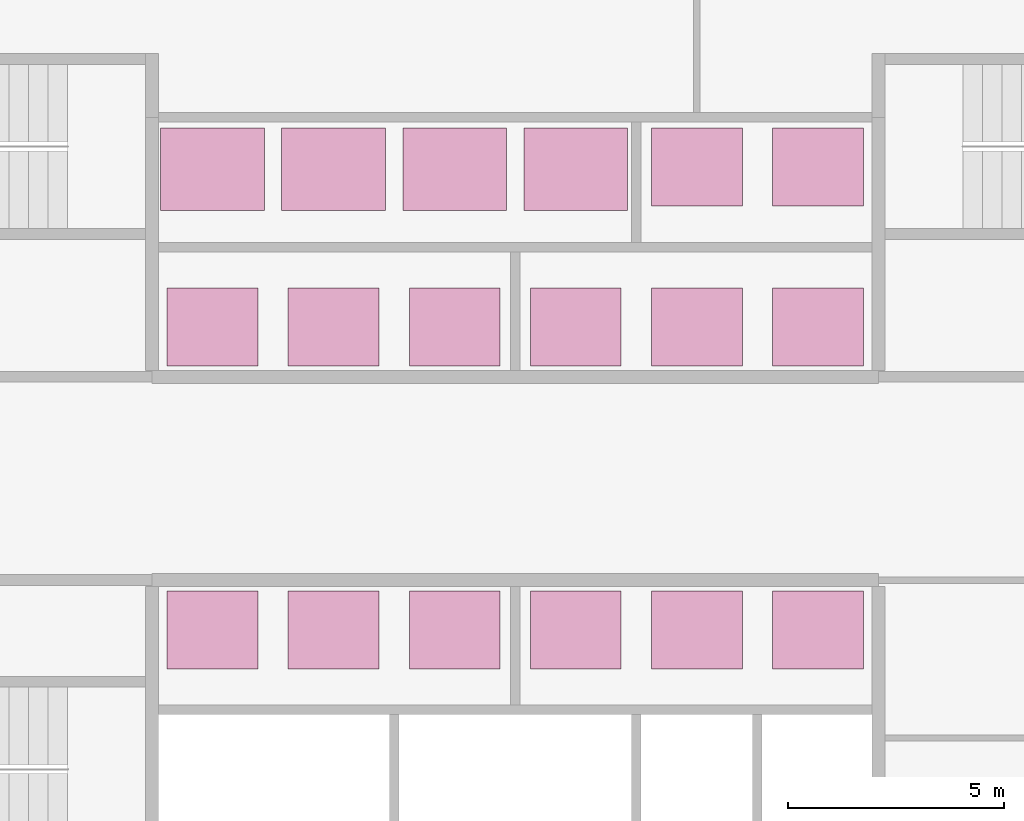
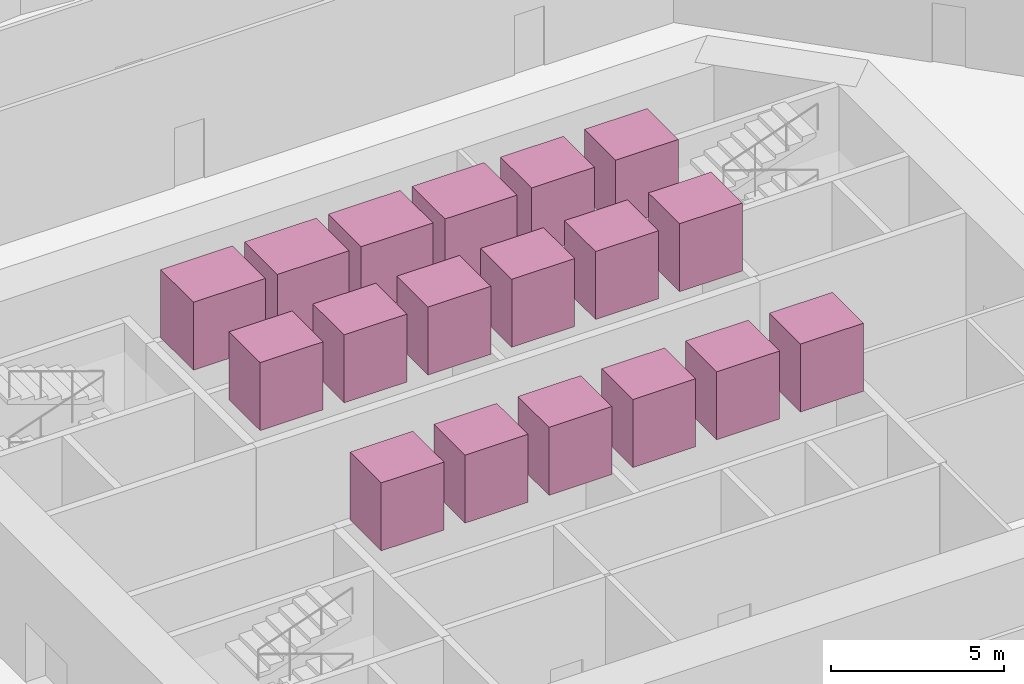
# One storey, part 11 of 11: 18 transport elements.
"""IFC4 building model written with IfcOpenShell, lengths in metres."""

from ifc_helpers import new_model, si_unit, direction, frame, origin, origin_2d, place, context, subcontext, project, spatial, rectangle, extrude, material, type_object, element, save


model = new_model("IFC4")

# Units and contexts
model_context = context("Model", 3, precision=1e-05, world=origin(), true_north=direction((0.0, 1.0)))
body_context = subcontext(model_context, "Body", "Model", "MODEL_VIEW")
ifc_project = project(units=[si_unit("LENGTHUNIT", "METRE"), si_unit("AREAUNIT", "SQUARE_METRE"), si_unit("VOLUMEUNIT", "CUBIC_METRE"), si_unit("PLANEANGLEUNIT", "RADIAN"), si_unit("MASSUNIT", "GRAM", prefix="KILO")], contexts=[model_context])

# Site, building, storey
site_placement = place(None, origin())
site = spatial("IfcSite", under=ifc_project, at=site_placement, CompositionType="ELEMENT")
building_placement = place(site_placement, origin())
building = spatial("IfcBuilding", under=site, at=building_placement, Name="Marenthal Gate Tower", CompositionType="ELEMENT")
storey_placement = place(building_placement, frame((0.0, 0.0, -5.0)))
storey = spatial("IfcBuildingStorey", under=building, at=storey_placement, Name="B1", CompositionType="ELEMENT", Elevation=-5.0)

# Transport elements
ifc_material_1 = material(Name="Stainless steel and glass car", Category="steel")
transport_element_type_1 = type_object("IfcTransportElementType", Name="Observation lift 2100 x 1800", PredefinedType="ELEVATOR", material=ifc_material_1)
for number, where, z_axis, x_axis, name in (
    (1, (4.199951171875, 7.199951171875, 5.0), (0.0, 0.0, 1.0), (1.0, 0.0, 0.0), "Lift OB1"),
    (2, (7.0, 7.199951171875, 5.0), (0.0, 0.0, 1.0), (1.0, 0.0, 0.0), "Lift OB2"),
):
    element("IfcTransportElement", number, at=place(storey_placement, frame(where, z_axis=z_axis, x_axis=x_axis)), inside=storey, type_object=transport_element_type_1, Name=name, PredefinedType="ELEVATOR", context=body_context, shape_type="SweptSolid", body=[
        extrude(rectangle(XDim=2.10009765625, YDim=1.800048828125, at=origin_2d()), origin(), (0.0, 0.0, 1.0), 2.39990234375),
    ])
ifc_material_2 = material(Name="Stainless steel and glass car", Category="steel")
transport_element_type_2 = type_object("IfcTransportElementType", Name="Passenger lift 2100 x 1800", PredefinedType="ELEVATOR", material=ifc_material_2)
for number, where, z_axis, x_axis, name in (
    (3, (-7.0, 3.5, 5.0), (0.0, 0.0, 1.0), (1.0, 0.0, 0.0), "Lift LP1"),
    (4, (-4.199951171875, 3.5, 5.0), (0.0, 0.0, 1.0), (1.0, 0.0, 0.0), "Lift LP2"),
    (5, (-1.39990234375, 3.5, 5.0), (0.0, 0.0, 1.0), (1.0, 0.0, 0.0), "Lift LP3"),
    (6, (1.39990234375, 3.5, 5.0), (0.0, 0.0, 1.0), (1.0, 0.0, 0.0), "Lift LP4"),
    (7, (4.199951171875, 3.5, 5.0), (0.0, 0.0, 1.0), (1.0, 0.0, 0.0), "Lift LP5"),
    (8, (7.0, 3.5, 5.0), (0.0, 0.0, 1.0), (1.0, 0.0, 0.0), "Lift LP6"),
    (9, (-7.0, -3.5, 5.0), (0.0, 0.0, 1.0), (1.0, 0.0, 0.0), "Lift LP7"),
    (10, (-4.199951171875, -3.5, 5.0), (0.0, 0.0, 1.0), (1.0, 0.0, 0.0), "Lift LP8"),
    (11, (-1.39990234375, -3.5, 5.0), (0.0, 0.0, 1.0), (1.0, 0.0, 0.0), "Lift LP9"),
    (12, (1.39990234375, -3.5, 5.0), (0.0, 0.0, 1.0), (1.0, 0.0, 0.0), "Lift LP10"),
    (13, (4.199951171875, -3.5, 5.0), (0.0, 0.0, 1.0), (1.0, 0.0, 0.0), "Lift LP11"),
    (14, (7.0, -3.5, 5.0), (0.0, 0.0, 1.0), (1.0, 0.0, 0.0), "Lift LP12"),
):
    element("IfcTransportElement", number, at=place(storey_placement, frame(where, z_axis=z_axis, x_axis=x_axis)), inside=storey, type_object=transport_element_type_2, Name=name, PredefinedType="ELEVATOR", context=body_context, shape_type="SweptSolid", body=[
        extrude(rectangle(XDim=2.10009765625, YDim=1.800048828125, at=origin_2d()), origin(), (0.0, 0.0, 1.0), 2.39990234375),
    ])
ifc_material_3 = material(Name="Stainless steel and glass car", Category="steel")
transport_element_type_3 = type_object("IfcTransportElementType", Name="Shuttle lift 2400 x 1900", PredefinedType="ELEVATOR", material=ifc_material_3)
for number, where, z_axis, x_axis, name in (
    (15, (-7.0, 7.14990234375, 5.0), (0.0, 0.0, 1.0), (1.0, 0.0, 0.0), "Lift SH1"),
    (16, (-4.199951171875, 7.14990234375, 5.0), (0.0, 0.0, 1.0), (1.0, 0.0, 0.0), "Lift SH2"),
    (17, (-1.39990234375, 7.14990234375, 5.0), (0.0, 0.0, 1.0), (1.0, 0.0, 0.0), "Lift SH3"),
    (18, (1.39990234375, 7.14990234375, 5.0), (0.0, 0.0, 1.0), (1.0, 0.0, 0.0), "Lift SH4"),
):
    element("IfcTransportElement", number, at=place(storey_placement, frame(where, z_axis=z_axis, x_axis=x_axis)), inside=storey, type_object=transport_element_type_3, Name=name, PredefinedType="ELEVATOR", context=body_context, shape_type="SweptSolid", body=[
        extrude(rectangle(XDim=2.39990234375, YDim=1.89990234375, at=origin_2d()), origin(), (0.0, 0.0, 1.0), 2.39990234375),
    ])

save(model, "model.ifc")
